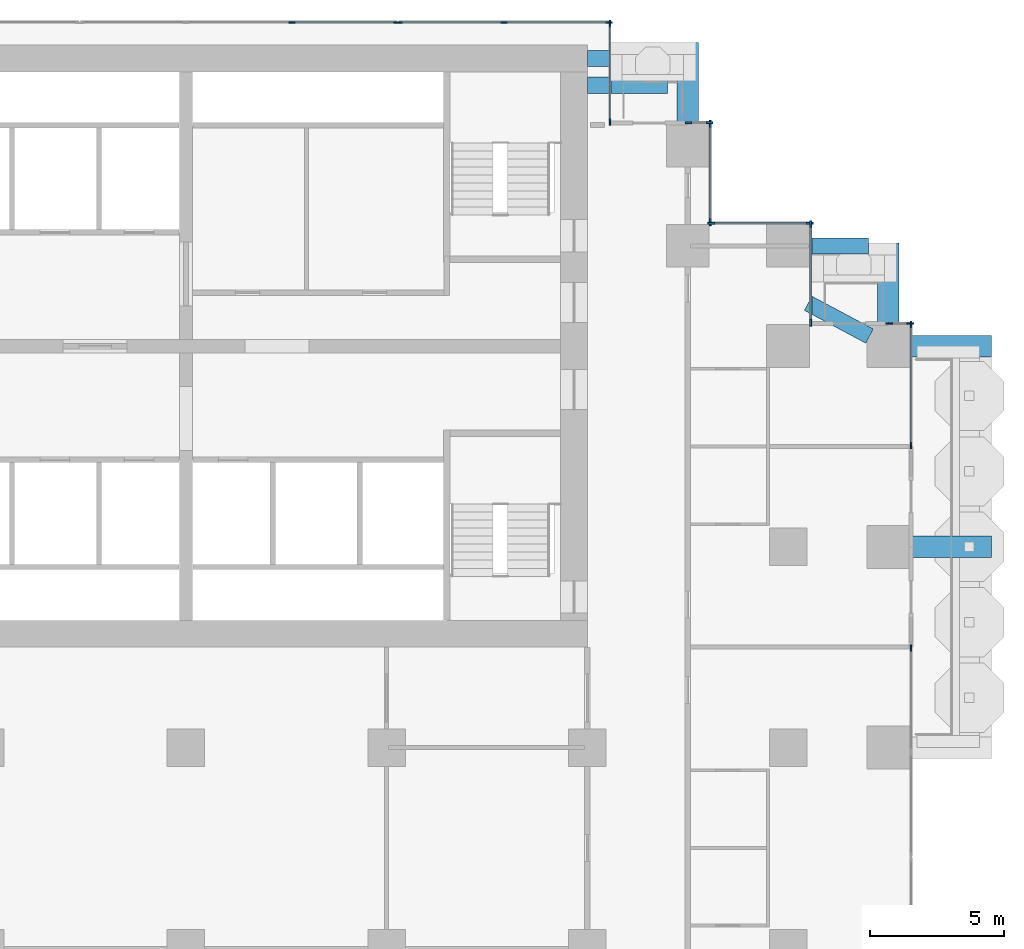
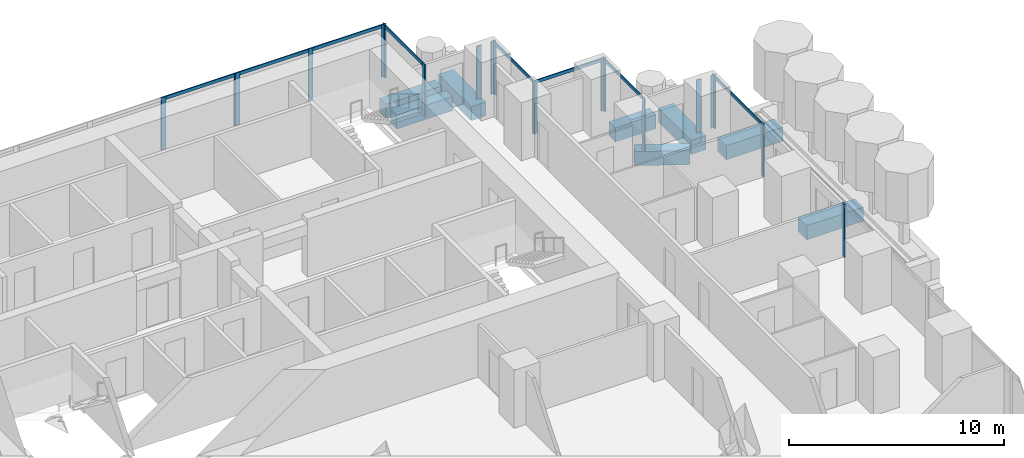
# One storey, part 5 of 18: 28 members, 8 beams, 10 elements without a shape of their own.
"""IFC4 building model written with IfcOpenShell, lengths in metres."""

from ifc_helpers import new_model, si_unit, direction, frame, origin, origin_2d, place, context, subcontext, project, spatial, rectangle, extrude, material, material_profile, profile_set, type_object, element, aggregate, save


model = new_model("IFC4")

# Units and contexts
model_context = context("Model", 3, precision=1e-05, world=origin(), true_north=direction((0.0, 1.0)))
body_context = subcontext(model_context, "Body", "Model", "MODEL_VIEW")
ifc_project = project(units=[si_unit("LENGTHUNIT", "METRE"), si_unit("AREAUNIT", "SQUARE_METRE"), si_unit("VOLUMEUNIT", "CUBIC_METRE"), si_unit("PLANEANGLEUNIT", "RADIAN"), si_unit("MASSUNIT", "GRAM", prefix="KILO")], contexts=[model_context])

# Site, building, storey
site_placement = place(None, origin())
site = spatial("IfcSite", under=ifc_project, at=site_placement, CompositionType="ELEMENT")
building_placement = place(site_placement, origin())
building = spatial("IfcBuilding", under=site, at=building_placement, Name="Pilkhan Gate Tower", CompositionType="ELEMENT")
storey_placement = place(building_placement, frame((0.0, 0.0, 52.699951171875)))
storey = spatial("IfcBuildingStorey", under=building, at=storey_placement, Name="L10", CompositionType="ELEMENT", Elevation=52.699951171875)

# Beams
ifc_material_1 = material(Name="Concrete C50/60", Category="concrete")
ifc_material_profile_1 = material_profile(ifc_material_1, rectangle(XDim=0.60009765625, YDim=0.800048828125, at=origin_2d()), Name="RC 600x800")
ifc_profile_set_1 = profile_set([ifc_material_profile_1], Name="Concrete C50/60")
beam_type_1 = type_object("IfcBeamType", Name="Cantilever beam CB1 RC 600x800 C50/60", PredefinedType="BEAM", material=ifc_profile_set_1)
for number, where, z_axis, x_axis, name in (
    (1, (90.0, 93.25, -0.699951171875), (1.0, 0.0, 0.0), (0.0, 1.0, 0.0), "Balcony beam NE.2 L10"),
    (2, (90.0, 92.25, -0.699951171875), (1.0, 0.0, 0.0), (0.0, 1.0, 0.0), "Balcony beam NE.3 L10"),
):
    element("IfcBeam", number, at=place(storey_placement, frame(where, z_axis=z_axis, x_axis=x_axis)), inside=storey, type_object=beam_type_1, Name=name, PredefinedType="BEAM", context=body_context, shape_type="SweptSolid", body=[
        extrude(rectangle(XDim=0.60009765625, YDim=0.800048828125, at=origin_2d()), origin(), (0.0, 0.0, 1.0), 3.0),
    ])
beam_1_placement = place(storey_placement, frame((98.300048828125, 86.25, -0.699951171875), z_axis=(1.0, 0.0, 0.0), x_axis=(0.0, 1.0, 0.0)))
element("IfcBeam", 3, at=beam_1_placement, inside=storey, type_object=beam_type_1, Name="Balcony beam NE2.2 L10", PredefinedType="BEAM", context=body_context, shape_type="SweptSolid", body=[
    extrude(rectangle(XDim=0.60009765625, YDim=0.800048828125, at=origin_2d()), origin(), (0.0, 0.0, 1.0), 2.199951171875),
])
beam_2_placement = place(storey_placement, frame((100.544189453125, 82.87646484375, -0.699951171875), z_axis=(-0.882342544151, 0.470607729199, 0.0), x_axis=(-0.470607729199, -0.882342544151, 0.0)))
element("IfcBeam", 4, at=beam_2_placement, inside=storey, type_object=beam_type_1, Name="Balcony beam NE2.3 L10", PredefinedType="BEAM", context=body_context, shape_type="SweptSolid", body=[
    extrude(rectangle(XDim=0.60009765625, YDim=0.800048828125, at=origin_2d()), origin(), (0.0, 0.0, 1.0), 2.60009765625),
])
ifc_material_profile_2 = material_profile(ifc_material_1, rectangle(XDim=0.800048828125, YDim=0.800048828125, at=origin_2d()), Name="RC 800x800")
ifc_profile_set_2 = profile_set([ifc_material_profile_2], Name="Concrete C50/60")
beam_type_2 = type_object("IfcBeamType", Name="Cantilever beam CB2 RC 800x800 C50/60", PredefinedType="BEAM", material=ifc_profile_set_2)
for number, where, z_axis, x_axis, name in (
    (5, (102.050048828125, 75.0, -0.699951171875), (1.0, 0.0, 0.0), (0.0, 1.0, 0.0), "Balcony beam E.2 L10"),
    (6, (102.050048828125, 82.5, -0.699951171875), (1.0, 0.0, 0.0), (0.0, 1.0, 0.0), "Balcony beam E.3 L10"),
    (7, (93.75, 90.800048828125, -0.699951171875), (0.0, 1.0, 0.0), (-1.0, 0.0, 0.0), "Balcony beam NE.1 L10"),
    (8, (101.25, 83.300048828125, -0.699951171875), (0.0, 1.0, 0.0), (-1.0, 0.0, 0.0), "Balcony beam NE2.1 L10"),
):
    element("IfcBeam", number, at=place(storey_placement, frame(where, z_axis=z_axis, x_axis=x_axis)), inside=storey, type_object=beam_type_2, Name=name, PredefinedType="BEAM", context=body_context, shape_type="SweptSolid", body=[
        extrude(rectangle(XDim=0.800048828125, YDim=0.800048828125, at=origin_2d()), origin(), (0.0, 0.0, 1.0), 3.050048828125),
    ])

# Curtain wall, member
ifc_material_2 = material(Name="Pale anodised aluminium, clear low-iron double glazing", Category="aluminium")
curtain_wall_type = type_object("IfcCurtainWallType", Name="Hotel unitised curtain wall CW-H", PredefinedType="USERDEFINED", material=ifc_material_2)
curtain_wall_1_placement = place(storey_placement, origin())
curtain_wall_1 = element("IfcCurtainWall", 9, at=curtain_wall_1_placement, inside=storey, type_object=curtain_wall_type, Name="Hotel unitised curtain wall CW-H L10 E", ObjectType="UNITISED CURTAIN WALL", PredefinedType="USERDEFINED")
ifc_material_3 = material(Name="Pale anodised aluminium", Category="aluminium")
ifc_material_profile_3 = material_profile(ifc_material_3, rectangle(XDim=0.06494140625, YDim=0.25, at=origin_2d()), Name="Mullion 250x65")
ifc_profile_set_3 = profile_set([ifc_material_profile_3], Name="Pale anodised aluminium")
member_type_1 = type_object("IfcMemberType", Name="Mullion CW-H 250x65", PredefinedType="MULLION", material=ifc_profile_set_3)
member_1_placement = place(storey_placement, frame((102.094970703125, 71.217529296875, 0.0), z_axis=(0.0, 0.0, 1.0), x_axis=(-1.0, 0.0, 0.0)))
member_1 = element("IfcMember", 10, at=member_1_placement, type_object=member_type_1, Name="CW-H mullion 3", PredefinedType="MULLION", context=body_context, shape_type="SweptSolid", body=[
    extrude(rectangle(XDim=0.06494140625, YDim=0.25, at=origin_2d()), origin(), (0.0, 0.0, 1.0), 3.0),
])
aggregate(curtain_wall_1, [member_1])

# Curtain wall, members
curtain_wall_2_placement = place(storey_placement, origin())
curtain_wall_2 = element("IfcCurtainWall", 11, at=curtain_wall_2_placement, inside=storey, type_object=curtain_wall_type, Name="Hotel unitised curtain wall CW-H L10 E", ObjectType="UNITISED CURTAIN WALL", PredefinedType="USERDEFINED")
member_2_placement = place(storey_placement, frame((102.094970703125, 78.782470703125, 0.0), z_axis=(0.0, 0.0, 1.0), x_axis=(-1.0, 0.0, 0.0)))
member_2 = element("IfcMember", 12, at=member_2_placement, type_object=member_type_1, Name="CW-H mullion 1", PredefinedType="MULLION", context=body_context, shape_type="SweptSolid", body=[
    extrude(rectangle(XDim=0.06494140625, YDim=0.25, at=origin_2d()), origin(), (0.0, 0.0, 1.0), 3.0),
])
member_3_placement = place(storey_placement, frame((102.094970703125, 83.3125, 0.0), z_axis=(0.0, 0.0, 1.0), x_axis=(-1.0, 0.0, 0.0)))
member_3 = element("IfcMember", 13, at=member_3_placement, type_object=member_type_1, Name="CW-H mullion 2", PredefinedType="MULLION", context=body_context, shape_type="SweptSolid", body=[
    extrude(rectangle(XDim=0.06494140625, YDim=0.25, at=origin_2d()), origin(), (0.0, 0.0, 1.0), 3.0),
])

curtain_wall_3_placement = place(storey_placement, origin())
curtain_wall_3 = element("IfcCurtainWall", 14, at=curtain_wall_3_placement, inside=storey, type_object=curtain_wall_type, Name="Hotel unitised curtain wall CW-H L10 N", ObjectType="UNITISED CURTAIN WALL", PredefinedType="USERDEFINED")
member_4_placement = place(storey_placement, frame((101.282470703125, 83.344970703125, 0.0), z_axis=(0.0, 0.0, 1.0), x_axis=(0.0, 1.0, 0.0)))
member_4 = element("IfcMember", 15, at=member_4_placement, type_object=member_type_1, Name="CW-H mullion 1", PredefinedType="MULLION", context=body_context, shape_type="SweptSolid", body=[
    extrude(rectangle(XDim=0.06494140625, YDim=0.25, at=origin_2d()), origin(), (0.0, 0.0, 1.0), 3.0),
])
member_5_placement = place(storey_placement, frame((102.0625, 83.344970703125, 0.0), z_axis=(0.0, 0.0, 1.0), x_axis=(0.0, 1.0, 0.0)))
member_5 = element("IfcMember", 16, at=member_5_placement, type_object=member_type_1, Name="CW-H mullion 2", PredefinedType="MULLION", context=body_context, shape_type="SweptSolid", body=[
    extrude(rectangle(XDim=0.06494140625, YDim=0.25, at=origin_2d()), origin(), (0.0, 0.0, 1.0), 3.0),
])
aggregate(curtain_wall_3, [member_4, member_5])

curtain_wall_4_placement = place(storey_placement, origin())
curtain_wall_4 = element("IfcCurtainWall", 17, at=curtain_wall_4_placement, inside=storey, type_object=curtain_wall_type, Name="Hotel unitised curtain wall CW-H L10 E", ObjectType="UNITISED CURTAIN WALL", PredefinedType="USERDEFINED")
member_6_placement = place(storey_placement, frame((98.344970703125, 83.37744140625, 0.0), z_axis=(0.0, 0.0, 1.0), x_axis=(-1.0, 0.0, 0.0)))
member_6 = element("IfcMember", 18, at=member_6_placement, type_object=member_type_1, Name="CW-H mullion 1", PredefinedType="MULLION", context=body_context, shape_type="SweptSolid", body=[
    extrude(rectangle(XDim=0.06494140625, YDim=0.25, at=origin_2d()), origin(), (0.0, 0.0, 1.0), 3.0),
])
member_7_placement = place(storey_placement, frame((98.344970703125, 87.0625, 0.0), z_axis=(0.0, 0.0, 1.0), x_axis=(-1.0, 0.0, 0.0)))
member_7 = element("IfcMember", 19, at=member_7_placement, type_object=member_type_1, Name="CW-H mullion 2", PredefinedType="MULLION", context=body_context, shape_type="SweptSolid", body=[
    extrude(rectangle(XDim=0.06494140625, YDim=0.25, at=origin_2d()), origin(), (0.0, 0.0, 1.0), 3.0),
])

curtain_wall_5_placement = place(storey_placement, origin())
curtain_wall_5 = element("IfcCurtainWall", 20, at=curtain_wall_5_placement, inside=storey, type_object=curtain_wall_type, Name="Hotel unitised curtain wall CW-H L10 N", ObjectType="UNITISED CURTAIN WALL", PredefinedType="USERDEFINED")
member_8_placement = place(storey_placement, frame((94.62744140625, 87.094970703125, 0.0), z_axis=(0.0, 0.0, 1.0), x_axis=(0.0, 1.0, 0.0)))
member_8 = element("IfcMember", 21, at=member_8_placement, type_object=member_type_1, Name="CW-H mullion 1", PredefinedType="MULLION", context=body_context, shape_type="SweptSolid", body=[
    extrude(rectangle(XDim=0.06494140625, YDim=0.25, at=origin_2d()), origin(), (0.0, 0.0, 1.0), 3.0),
])
member_9_placement = place(storey_placement, frame((98.3125, 87.094970703125, 0.0), z_axis=(0.0, 0.0, 1.0), x_axis=(0.0, 1.0, 0.0)))
member_9 = element("IfcMember", 22, at=member_9_placement, type_object=member_type_1, Name="CW-H mullion 2", PredefinedType="MULLION", context=body_context, shape_type="SweptSolid", body=[
    extrude(rectangle(XDim=0.06494140625, YDim=0.25, at=origin_2d()), origin(), (0.0, 0.0, 1.0), 3.0),
])

curtain_wall_6_placement = place(storey_placement, origin())
curtain_wall_6 = element("IfcCurtainWall", 23, at=curtain_wall_6_placement, inside=storey, type_object=curtain_wall_type, Name="Hotel unitised curtain wall CW-H L10 E", ObjectType="UNITISED CURTAIN WALL", PredefinedType="USERDEFINED")
member_10_placement = place(storey_placement, frame((94.594970703125, 87.12744140625, 0.0), z_axis=(0.0, 0.0, 1.0), x_axis=(-1.0, 0.0, 0.0)))
member_10 = element("IfcMember", 24, at=member_10_placement, type_object=member_type_1, Name="CW-H mullion 1", PredefinedType="MULLION", context=body_context, shape_type="SweptSolid", body=[
    extrude(rectangle(XDim=0.06494140625, YDim=0.25, at=origin_2d()), origin(), (0.0, 0.0, 1.0), 3.0),
])
member_11_placement = place(storey_placement, frame((94.594970703125, 90.8125, 0.0), z_axis=(0.0, 0.0, 1.0), x_axis=(-1.0, 0.0, 0.0)))
member_11 = element("IfcMember", 25, at=member_11_placement, type_object=member_type_1, Name="CW-H mullion 2", PredefinedType="MULLION", context=body_context, shape_type="SweptSolid", body=[
    extrude(rectangle(XDim=0.06494140625, YDim=0.25, at=origin_2d()), origin(), (0.0, 0.0, 1.0), 3.0),
])

curtain_wall_7_placement = place(storey_placement, origin())
curtain_wall_7 = element("IfcCurtainWall", 26, at=curtain_wall_7_placement, inside=storey, type_object=curtain_wall_type, Name="Hotel unitised curtain wall CW-H L10 N", ObjectType="UNITISED CURTAIN WALL", PredefinedType="USERDEFINED")
member_12_placement = place(storey_placement, frame((93.782470703125, 90.844970703125, 0.0), z_axis=(0.0, 0.0, 1.0), x_axis=(0.0, 1.0, 0.0)))
member_12 = element("IfcMember", 27, at=member_12_placement, type_object=member_type_1, Name="CW-H mullion 1", PredefinedType="MULLION", context=body_context, shape_type="SweptSolid", body=[
    extrude(rectangle(XDim=0.06494140625, YDim=0.25, at=origin_2d()), origin(), (0.0, 0.0, 1.0), 3.0),
])
member_13_placement = place(storey_placement, frame((94.5625, 90.844970703125, 0.0), z_axis=(0.0, 0.0, 1.0), x_axis=(0.0, 1.0, 0.0)))
member_13 = element("IfcMember", 28, at=member_13_placement, type_object=member_type_1, Name="CW-H mullion 2", PredefinedType="MULLION", context=body_context, shape_type="SweptSolid", body=[
    extrude(rectangle(XDim=0.06494140625, YDim=0.25, at=origin_2d()), origin(), (0.0, 0.0, 1.0), 3.0),
])
aggregate(curtain_wall_7, [member_12, member_13])

curtain_wall_8_placement = place(storey_placement, origin())
curtain_wall_8 = element("IfcCurtainWall", 29, at=curtain_wall_8_placement, inside=storey, type_object=curtain_wall_type, Name="Hotel unitised curtain wall CW-H L10 E", ObjectType="UNITISED CURTAIN WALL", PredefinedType="USERDEFINED")
member_14_placement = place(storey_placement, frame((90.844970703125, 90.87744140625, 0.0), z_axis=(0.0, 0.0, 1.0), x_axis=(-1.0, 0.0, 0.0)))
member_14 = element("IfcMember", 30, at=member_14_placement, type_object=member_type_1, Name="CW-H mullion 1", PredefinedType="MULLION", context=body_context, shape_type="SweptSolid", body=[
    extrude(rectangle(XDim=0.06494140625, YDim=0.25, at=origin_2d()), origin(), (0.0, 0.0, 1.0), 3.0),
])
member_15_placement = place(storey_placement, frame((90.844970703125, 94.5625, 0.0), z_axis=(0.0, 0.0, 1.0), x_axis=(-1.0, 0.0, 0.0)))
member_15 = element("IfcMember", 31, at=member_15_placement, type_object=member_type_1, Name="CW-H mullion 2", PredefinedType="MULLION", context=body_context, shape_type="SweptSolid", body=[
    extrude(rectangle(XDim=0.06494140625, YDim=0.25, at=origin_2d()), origin(), (0.0, 0.0, 1.0), 3.0),
])

curtain_wall_9_placement = place(storey_placement, origin())
curtain_wall_9 = element("IfcCurtainWall", 32, at=curtain_wall_9_placement, inside=storey, type_object=curtain_wall_type, Name="Hotel unitised curtain wall CW-H L10 N", ObjectType="UNITISED CURTAIN WALL", PredefinedType="USERDEFINED")
member_16_placement = place(storey_placement, frame((78.961181640625, 94.594970703125, 0.0), z_axis=(0.0, 0.0, 1.0), x_axis=(0.0, 1.0, 0.0)))
member_16 = element("IfcMember", 33, at=member_16_placement, type_object=member_type_1, Name="CW-H mullion 3", PredefinedType="MULLION", context=body_context, shape_type="SweptSolid", body=[
    extrude(rectangle(XDim=0.06494140625, YDim=0.25, at=origin_2d()), origin(), (0.0, 0.0, 1.0), 3.0),
])
member_17_placement = place(storey_placement, frame((82.889892578125, 94.594970703125, 0.0), z_axis=(0.0, 0.0, 1.0), x_axis=(0.0, 1.0, 0.0)))
member_17 = element("IfcMember", 34, at=member_17_placement, type_object=member_type_1, Name="CW-H mullion 4", PredefinedType="MULLION", context=body_context, shape_type="SweptSolid", body=[
    extrude(rectangle(XDim=0.06494140625, YDim=0.25, at=origin_2d()), origin(), (0.0, 0.0, 1.0), 3.0),
])

curtain_wall_10_placement = place(storey_placement, origin())
curtain_wall_10 = element("IfcCurtainWall", 35, at=curtain_wall_10_placement, inside=storey, type_object=curtain_wall_type, Name="Hotel unitised curtain wall CW-H L10 N", ObjectType="UNITISED CURTAIN WALL", PredefinedType="USERDEFINED")
member_18_placement = place(storey_placement, frame((82.955078125, 94.594970703125, 0.0), z_axis=(0.0, 0.0, 1.0), x_axis=(0.0, 1.0, 0.0)))
member_18 = element("IfcMember", 36, at=member_18_placement, type_object=member_type_1, Name="CW-H mullion 1", PredefinedType="MULLION", context=body_context, shape_type="SweptSolid", body=[
    extrude(rectangle(XDim=0.06494140625, YDim=0.25, at=origin_2d()), origin(), (0.0, 0.0, 1.0), 3.0),
])
member_19_placement = place(storey_placement, frame((86.8837890625, 94.594970703125, 0.0), z_axis=(0.0, 0.0, 1.0), x_axis=(0.0, 1.0, 0.0)))
member_19 = element("IfcMember", 37, at=member_19_placement, type_object=member_type_1, Name="CW-H mullion 2", PredefinedType="MULLION", context=body_context, shape_type="SweptSolid", body=[
    extrude(rectangle(XDim=0.06494140625, YDim=0.25, at=origin_2d()), origin(), (0.0, 0.0, 1.0), 3.0),
])
member_20_placement = place(storey_placement, frame((90.8125, 94.594970703125, 0.0), z_axis=(0.0, 0.0, 1.0), x_axis=(0.0, 1.0, 0.0)))
member_20 = element("IfcMember", 38, at=member_20_placement, type_object=member_type_1, Name="CW-H mullion 3", PredefinedType="MULLION", context=body_context, shape_type="SweptSolid", body=[
    extrude(rectangle(XDim=0.06494140625, YDim=0.25, at=origin_2d()), origin(), (0.0, 0.0, 1.0), 3.0),
])

# Member
ifc_material_profile_4 = material_profile(ifc_material_3, rectangle(XDim=0.06494140625, YDim=0.179931640625, at=origin_2d()), Name="Transom 180x65")
ifc_profile_set_4 = profile_set([ifc_material_profile_4], Name="Pale anodised aluminium")
member_type_2 = type_object("IfcMemberType", Name="Transom CW-H 180x65", PredefinedType="USERDEFINED", material=ifc_profile_set_4)
member_21_placement = place(storey_placement, frame((102.094970703125, 78.81494140625, 2.91015625), z_axis=(0.0, 1.0, 0.0), x_axis=(-1.0, 0.0, 0.0)))
member_21 = element("IfcMember", 39, at=member_21_placement, type_object=member_type_2, Name="CW-H transom 1", ObjectType="TRANSOM", PredefinedType="USERDEFINED", context=body_context, shape_type="SweptSolid", body=[
    extrude(rectangle(XDim=0.06494140625, YDim=0.179931640625, at=origin_2d()), origin(), (0.0, 0.0, 1.0), 4.465087890625),
])

aggregate(curtain_wall_2, [member_2, member_3, member_21])

member_22_placement = place(storey_placement, frame((98.344970703125, 83.409912109375, 2.91015625), z_axis=(0.0, 1.0, 0.0), x_axis=(-1.0, 0.0, 0.0)))
member_22 = element("IfcMember", 40, at=member_22_placement, type_object=member_type_2, Name="CW-H transom 1", ObjectType="TRANSOM", PredefinedType="USERDEFINED", context=body_context, shape_type="SweptSolid", body=[
    extrude(rectangle(XDim=0.06494140625, YDim=0.179931640625, at=origin_2d()), origin(), (0.0, 0.0, 1.0), 3.6201171875),
])

aggregate(curtain_wall_4, [member_6, member_7, member_22])

member_23_placement = place(storey_placement, frame((94.659912109375, 87.094970703125, 2.91015625), z_axis=(1.0, 0.0, 0.0), x_axis=(0.0, 1.0, 0.0)))
member_23 = element("IfcMember", 41, at=member_23_placement, type_object=member_type_2, Name="CW-H transom 1", ObjectType="TRANSOM", PredefinedType="USERDEFINED", context=body_context, shape_type="SweptSolid", body=[
    extrude(rectangle(XDim=0.06494140625, YDim=0.179931640625, at=origin_2d()), origin(), (0.0, 0.0, 1.0), 3.6201171875),
])

aggregate(curtain_wall_5, [member_8, member_9, member_23])

member_24_placement = place(storey_placement, frame((94.594970703125, 87.159912109375, 2.91015625), z_axis=(0.0, 1.0, 0.0), x_axis=(-1.0, 0.0, 0.0)))
member_24 = element("IfcMember", 42, at=member_24_placement, type_object=member_type_2, Name="CW-H transom 1", ObjectType="TRANSOM", PredefinedType="USERDEFINED", context=body_context, shape_type="SweptSolid", body=[
    extrude(rectangle(XDim=0.06494140625, YDim=0.179931640625, at=origin_2d()), origin(), (0.0, 0.0, 1.0), 3.6201171875),
])

aggregate(curtain_wall_6, [member_10, member_11, member_24])

member_25_placement = place(storey_placement, frame((90.844970703125, 90.909912109375, 2.91015625), z_axis=(0.0, 1.0, 0.0), x_axis=(-1.0, 0.0, 0.0)))
member_25 = element("IfcMember", 43, at=member_25_placement, type_object=member_type_2, Name="CW-H transom 1", ObjectType="TRANSOM", PredefinedType="USERDEFINED", context=body_context, shape_type="SweptSolid", body=[
    extrude(rectangle(XDim=0.06494140625, YDim=0.179931640625, at=origin_2d()), origin(), (0.0, 0.0, 1.0), 3.6201171875),
])

aggregate(curtain_wall_8, [member_14, member_15, member_25])

member_26_placement = place(storey_placement, frame((78.99365234375, 94.594970703125, 2.91015625), z_axis=(1.0, 0.0, 0.0), x_axis=(0.0, 1.0, 0.0)))
member_26 = element("IfcMember", 44, at=member_26_placement, type_object=member_type_2, Name="CW-H transom 3", ObjectType="TRANSOM", PredefinedType="USERDEFINED", context=body_context, shape_type="SweptSolid", body=[
    extrude(rectangle(XDim=0.06494140625, YDim=0.179931640625, at=origin_2d()), origin(), (0.0, 0.0, 1.0), 3.86376953125),
])

aggregate(curtain_wall_9, [member_16, member_17, member_26])

member_27_placement = place(storey_placement, frame((82.987548828125, 94.594970703125, 2.91015625), z_axis=(1.0, 0.0, 0.0), x_axis=(0.0, 1.0, 0.0)))
member_27 = element("IfcMember", 45, at=member_27_placement, type_object=member_type_2, Name="CW-H transom 1", ObjectType="TRANSOM", PredefinedType="USERDEFINED", context=body_context, shape_type="SweptSolid", body=[
    extrude(rectangle(XDim=0.06494140625, YDim=0.179931640625, at=origin_2d()), origin(), (0.0, 0.0, 1.0), 3.86376953125),
])

member_28_placement = place(storey_placement, frame((86.916259765625, 94.594970703125, 2.91015625), z_axis=(1.0, 0.0, 0.0), x_axis=(0.0, 1.0, 0.0)))
member_28 = element("IfcMember", 46, at=member_28_placement, type_object=member_type_2, Name="CW-H transom 2", ObjectType="TRANSOM", PredefinedType="USERDEFINED", context=body_context, shape_type="SweptSolid", body=[
    extrude(rectangle(XDim=0.06494140625, YDim=0.179931640625, at=origin_2d()), origin(), (0.0, 0.0, 1.0), 3.86376953125),
])

aggregate(curtain_wall_10, [member_18, member_19, member_20, member_27, member_28])

save(model, "model.ifc")
